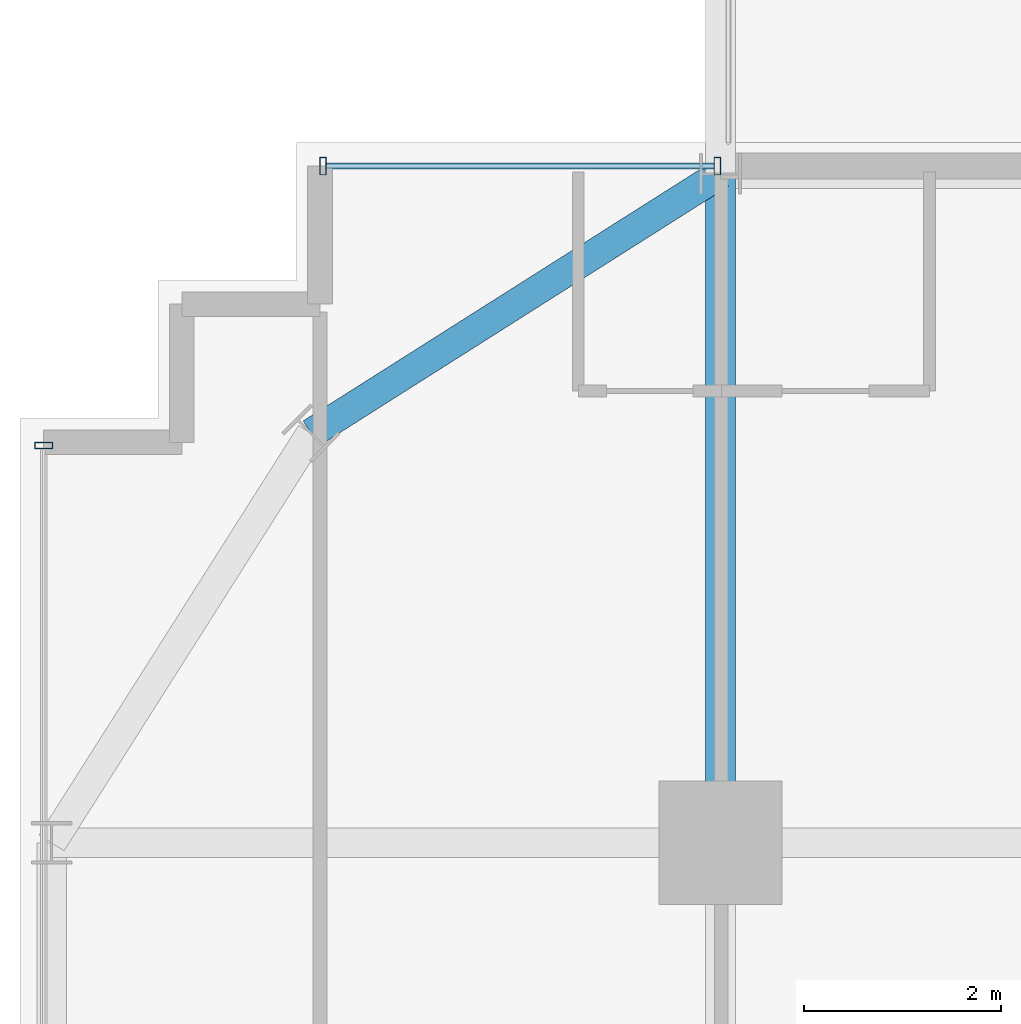
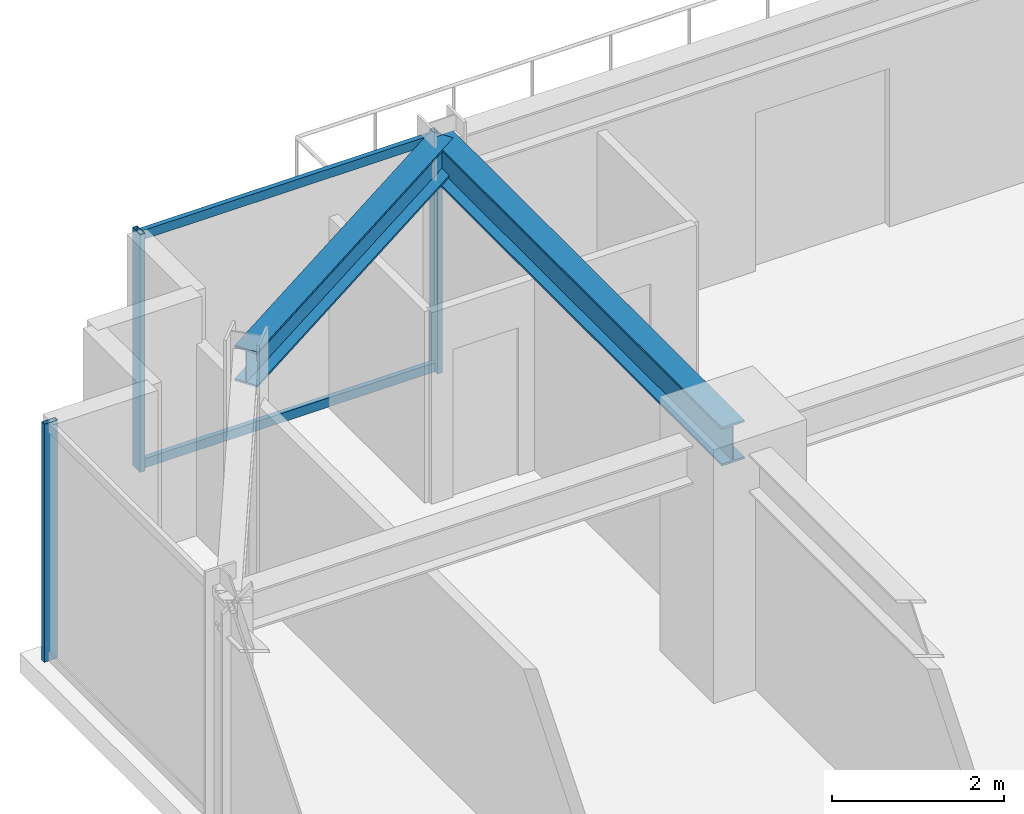
# One storey, part 18 of 34: 5 members, 2 beams, 2 elements without a shape of their own.
"""IFC4 building model written with IfcOpenShell, lengths in metres."""

from ifc_helpers import new_model, si_unit, direction, frame, origin, origin_2d, place, context, subcontext, project, spatial, hollow_rectangle, i_section, extrude, source, transform, mapped, material, material_profile, profile_set, type_object, element, aggregate, save


model = new_model("IFC4")

# Units and contexts
model_context = context("Model", 3, precision=1e-05, world=origin(), true_north=direction((0.0, 1.0)))
body_context = subcontext(model_context, "Body", "Model", "MODEL_VIEW")
ifc_project = project(units=[si_unit("LENGTHUNIT", "METRE"), si_unit("AREAUNIT", "SQUARE_METRE"), si_unit("VOLUMEUNIT", "CUBIC_METRE"), si_unit("PLANEANGLEUNIT", "RADIAN"), si_unit("MASSUNIT", "GRAM", prefix="KILO")], contexts=[model_context])

# Site, building, storey
site_placement = place(None, origin())
site = spatial("IfcSite", under=ifc_project, at=site_placement, CompositionType="ELEMENT")
building_placement = place(site_placement, origin())
building = spatial("IfcBuilding", under=site, at=building_placement, Name="Nahalor Promenade Grand Hotel", CompositionType="ELEMENT")
storey_placement = place(building_placement, frame((0.0, 0.0, 128.449951171875)))
storey = spatial("IfcBuildingStorey", under=building, at=storey_placement, Name="L32", CompositionType="ELEMENT", Elevation=128.449951171875)

# Beams
ifc_material_1 = material(Name="Steel S355JR", Category="steel")
ifc_material_profile_1 = material_profile(ifc_material_1, i_section(OverallWidth=0.3, OverallDepth=0.5, WebThickness=0.0145, FlangeThickness=0.028, at=origin_2d()), Name="HEB 500")
ifc_profile_set_1 = profile_set([ifc_material_profile_1], Name="Steel S355JR")
beam_type_1 = type_object("IfcBeamType", Name="Beam-Spandrel-HEB500", PredefinedType="SPANDREL", material=ifc_profile_set_1)
shared_shape_1 = source(origin(), body_context, "Body", "SweptSolid", [
    extrude(i_section(OverallWidth=0.3, OverallDepth=0.5, WebThickness=0.0145, FlangeThickness=0.028, at=origin_2d()), origin(), (0.0, 0.0, 1.0), 4.9130859375),
])
beam_1_placement = place(storey_placement, frame((-17.0, 23.780029296875, 3.130126953125), z_axis=(-0.844648325505, -0.535321591403, 0.0), x_axis=(0.535321591403, -0.844648325505, 0.0)))
element("IfcBeam", 1, at=beam_1_placement, inside=storey, type_object=beam_type_1, Name="BM-L32-SPC-NW-1", PredefinedType="SPANDREL", context=body_context, shape_type="MappedRepresentation", body=[
    mapped(shared_shape_1, transform((0.0, 0.0, 0.0), scale=1.0)),
])
ifc_material_profile_2 = material_profile(ifc_material_1, i_section(OverallWidth=0.3, OverallDepth=0.55, WebThickness=0.015, FlangeThickness=0.029, at=origin_2d()), Name="HEB 550")
ifc_profile_set_2 = profile_set([ifc_material_profile_2], Name="Steel S355JR")
beam_type_2 = type_object("IfcBeamType", Name="Beam-Girder-HEB550", PredefinedType="BEAM", material=ifc_profile_set_2)
shared_shape_2 = source(origin(), body_context, "Body", "SweptSolid", [
    extrude(i_section(OverallWidth=0.3, OverallDepth=0.55, WebThickness=0.015, FlangeThickness=0.029, at=origin_2d()), origin(), (0.0, 0.0, 1.0), 6.780029296875),
])
beam_2_placement = place(storey_placement, frame((-17.0, 17.0, 3.10498046875), z_axis=(0.0, 1.0, 0.0), x_axis=(-1.0, 0.0, 0.0)))
element("IfcBeam", 2, at=beam_2_placement, inside=storey, type_object=beam_type_2, Name="BM-L32-GY-0-4", PredefinedType="BEAM", context=body_context, shape_type="MappedRepresentation", body=[
    mapped(shared_shape_2, transform((0.0, 0.0, 0.0), scale=1.0)),
])

# Curtain wall, members
ifc_material_2 = material(Name="Anodised Bronze Aluminium EN AW-6063 T6", Category="aluminium")
curtain_wall_type = type_object("IfcCurtainWallType", Name="CW2 Typical Hotel Flush Bronze Unitised Curtain Wall", PredefinedType="USERDEFINED", material=ifc_material_2)
curtain_wall_1_placement = place(storey_placement, origin())
curtain_wall_1 = element("IfcCurtainWall", 3, at=curtain_wall_1_placement, inside=storey, type_object=curtain_wall_type, Name="L32 Curtain Wall CW-L32-N-1", ObjectType="UNITISED_CURTAIN_WALL", PredefinedType="USERDEFINED")
ifc_material_profile_3 = material_profile(ifc_material_2, hollow_rectangle(XDim=0.065, YDim=0.13, WallThickness=0.004, at=origin_2d()), Name="CWT 65x130x4")
ifc_profile_set_3 = profile_set([ifc_material_profile_3], Name="Anodised Bronze Aluminium EN AW-6063 T6")
member_type_1 = type_object("IfcMemberType", Name="CWT2 Typical Bronze Transom 65x130", PredefinedType="USERDEFINED", material=ifc_profile_set_3)
shared_shape_3 = source(origin(), body_context, "Body", "SweptSolid", [
    extrude(hollow_rectangle(XDim=0.065, YDim=0.13, WallThickness=0.004, at=origin_2d()), origin(), (0.0, 0.0, 1.0), 3.93017578125),
])
member_1_placement = place(storey_placement, frame((-20.9951171875, 23.860107421875, 0.06494140625), z_axis=(1.0, 0.0, 0.0), x_axis=(0.0, 1.0, 0.0)))
member_1 = element("IfcMember", 4, at=member_1_placement, type_object=member_type_1, Name="CW-L32-N-1 Transom 0-0", ObjectType="TRANSOM", PredefinedType="USERDEFINED", context=body_context, shape_type="MappedRepresentation", body=[
    mapped(shared_shape_3, transform((0.0, 0.0, 0.0), scale=1.0)),
])
member_2_placement = place(storey_placement, frame((-20.9951171875, 23.860107421875, 3.31494140625), z_axis=(1.0, 0.0, 0.0), x_axis=(0.0, 1.0, 0.0)))
member_2 = element("IfcMember", 5, at=member_2_placement, type_object=member_type_1, Name="CW-L32-N-1 Transom 0-1", ObjectType="TRANSOM", PredefinedType="USERDEFINED", context=body_context, shape_type="MappedRepresentation", body=[
    mapped(shared_shape_3, transform((0.0, 0.0, 0.0), scale=1.0)),
])
ifc_material_profile_4 = material_profile(ifc_material_2, hollow_rectangle(XDim=0.065, YDim=0.18, WallThickness=0.004, at=origin_2d()), Name="CWM 65x180x4")
ifc_profile_set_4 = profile_set([ifc_material_profile_4], Name="Anodised Bronze Aluminium EN AW-6063 T6")
member_type_2 = type_object("IfcMemberType", Name="CWM2 Typical Bronze Mullion 65x180", PredefinedType="MULLION", material=ifc_profile_set_4)
shared_shape_4 = source(origin(), body_context, "Body", "SweptSolid", [
    extrude(hollow_rectangle(XDim=0.065, YDim=0.18, WallThickness=0.004, at=origin_2d()), origin(), (0.0, 0.0, 1.0), 3.380126953125),
])
member_3_placement = place(storey_placement, frame((-21.027587890625, 23.860107421875, 0.0), z_axis=(0.0, 0.0, 1.0), x_axis=(1.0, 0.0, 0.0)))
member_3 = element("IfcMember", 6, at=member_3_placement, type_object=member_type_2, Name="CW-L32-N-1 Mullion 0", PredefinedType="MULLION", context=body_context, shape_type="MappedRepresentation", body=[
    mapped(shared_shape_4, transform((0.0, 0.0, 0.0), scale=1.0)),
])
member_4_placement = place(storey_placement, frame((-17.032470703125, 23.860107421875, 0.0), z_axis=(0.0, 0.0, 1.0), x_axis=(1.0, 0.0, 0.0)))
member_4 = element("IfcMember", 7, at=member_4_placement, type_object=member_type_2, Name="CW-L32-N-1 Mullion 1", PredefinedType="MULLION", context=body_context, shape_type="MappedRepresentation", body=[
    mapped(shared_shape_4, transform((0.0, 0.0, 0.0), scale=1.0)),
])
aggregate(curtain_wall_1, [member_3, member_4, member_1, member_2])

# Curtain wall, member
curtain_wall_2_placement = place(storey_placement, origin())
curtain_wall_2 = element("IfcCurtainWall", 8, at=curtain_wall_2_placement, inside=storey, type_object=curtain_wall_type, Name="L32 Curtain Wall CW-L32-W-1", ObjectType="UNITISED_CURTAIN_WALL", PredefinedType="USERDEFINED")
member_5_placement = place(storey_placement, frame((-23.860107421875, 21.027587890625, 0.0), z_axis=(0.0, 0.0, 1.0), x_axis=(0.0, 1.0, 0.0)))
member_5 = element("IfcMember", 9, at=member_5_placement, type_object=member_type_2, Name="CW-L32-W-1 Mullion 4", PredefinedType="MULLION", context=body_context, shape_type="MappedRepresentation", body=[
    mapped(shared_shape_4, transform((0.0, 0.0, 0.0), scale=1.0)),
])
aggregate(curtain_wall_2, [member_5])

save(model, "model.ifc")
